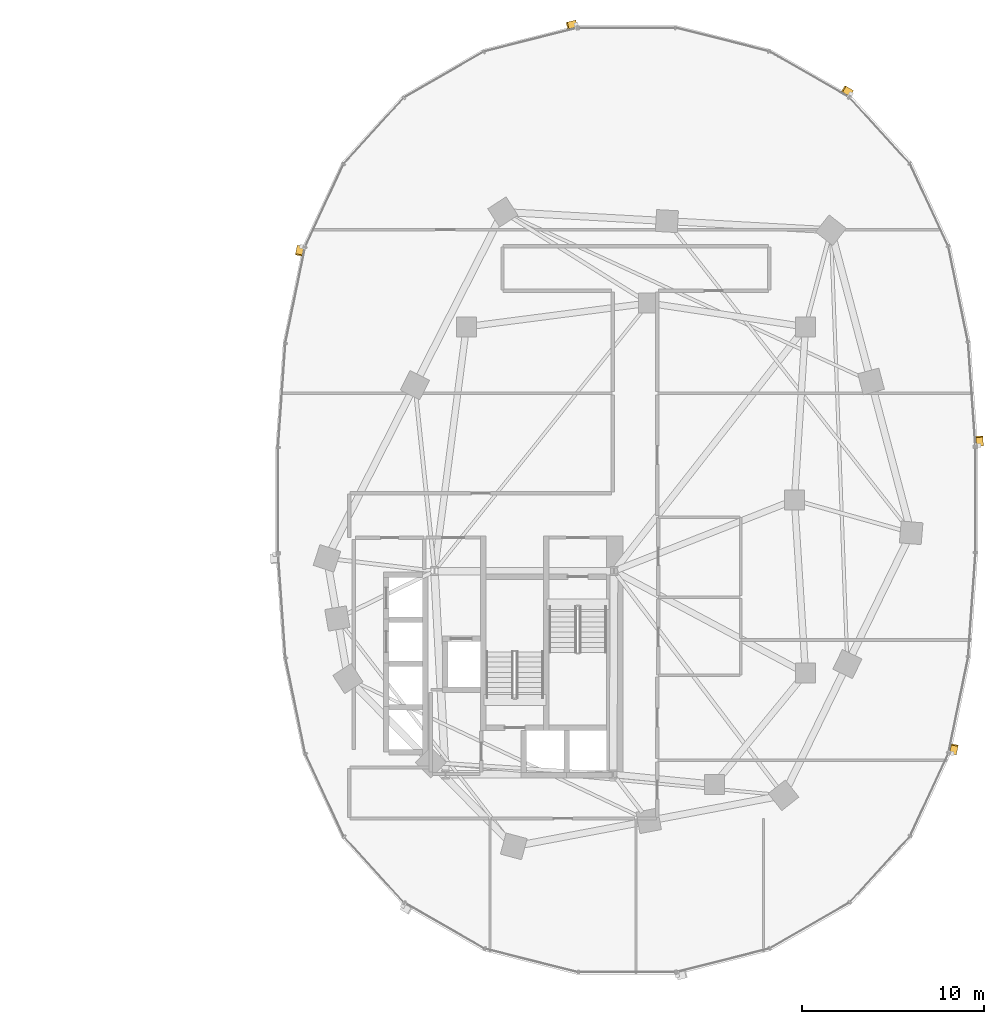
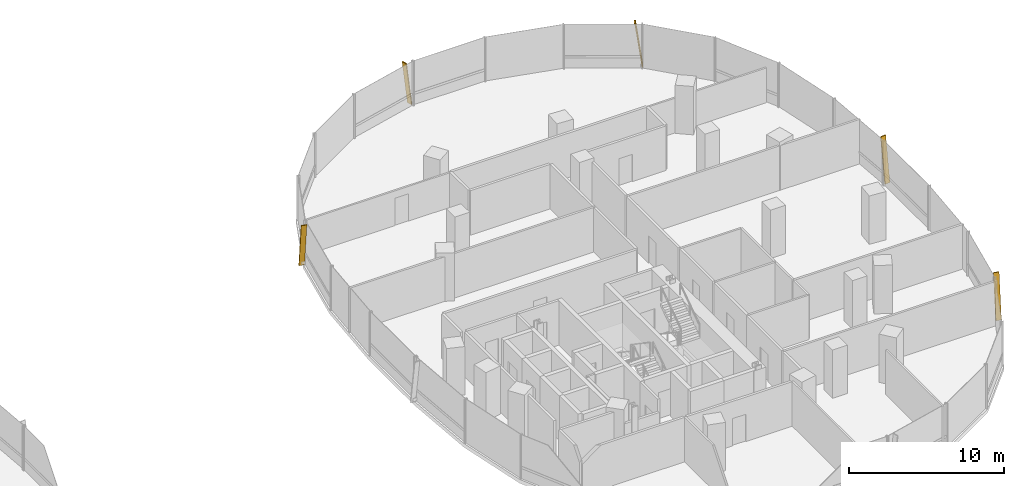
# One storey, part 21 of 21: 5 shading devices.
"""IFC4 building model written with IfcOpenShell, lengths in metres."""

from ifc_helpers import new_model, si_unit, direction, frame, origin, origin_2d, place, context, subcontext, project, spatial, rectangle, extrude, material, material_profile, profile_set, type_object, element, save


model = new_model("IFC4")

# Units and contexts
model_context = context("Model", 3, precision=1e-05, world=origin(), true_north=direction((0.0, 1.0)))
body_context = subcontext(model_context, "Body", "Model", "MODEL_VIEW")
ifc_project = project(units=[si_unit("LENGTHUNIT", "METRE"), si_unit("AREAUNIT", "SQUARE_METRE"), si_unit("VOLUMEUNIT", "CUBIC_METRE"), si_unit("PLANEANGLEUNIT", "RADIAN"), si_unit("MASSUNIT", "GRAM", prefix="KILO"), si_unit("THERMODYNAMICTEMPERATUREUNIT", "KELVIN"), si_unit("POWERUNIT", "WATT")], contexts=[model_context])

# Site, building, storey
site_placement = place(None, origin())
site = spatial("IfcSite", under=ifc_project, at=site_placement, CompositionType="ELEMENT")
building_placement = place(site_placement, origin())
building = spatial("IfcBuilding", under=site, at=building_placement, Name="Cundina Bronze Exchange", CompositionType="ELEMENT")
storey_placement = place(building_placement, frame((0.0, 0.0, 62.0)))
storey = spatial("IfcBuildingStorey", under=building, at=storey_placement, Name="L15", CompositionType="ELEMENT", Elevation=62.0)

# Shading devices
ifc_material = material(Name="Anodised Bronze Aluminium 6063-T6", Category="aluminium")
ifc_material_profile = material_profile(ifc_material, rectangle(XDim=0.070068359375, YDim=0.3798828125, at=origin_2d()), Name="FIN70X380", Category="aluminium")
ifc_profile_set = profile_set([ifc_material_profile], Name="Anodised Bronze Aluminium 6063-T6")
shading_device_type = type_object("IfcShadingDeviceType", Name="SHD-FIN-BRZ380", PredefinedType="USERDEFINED", material=ifc_profile_set)
for number, where, z_axis, x_axis, name in (
    (1, (51.3740234375, 2.993896484375, 0.02001953125), (-0.009645159174, 0.137059109714, 0.990515911709), (0.06953288269, -0.988072340253, 0.137398066402), "L15 Diagonal Bronze Solar Fin 1"),
    (2, (44.314208984375, 22.314208984375, 0.02001953125), (-0.119166378275, 0.06842456559, 0.990513731915), (0.85898178632, -0.493221799887, 0.137413779831), "L15 Diagonal Bronze Solar Fin 5"),
    (3, (29.212646484375, 26.138427734375, 0.02001953125), (-0.133214830938, -0.033688115694, 0.990514472221), (0.960284642503, 0.242842181368, 0.137408443412), "L15 Diagonal Bronze Solar Fin 1"),
    (4, (14.10400390625, 13.911865234375, 0.02001953125), (-0.027747134956, -0.134612045151, 0.990509815096), (0.199966585563, 0.970114971774, 0.137442010309), "L15 Diagonal Bronze Solar Fin 5"),
    (5, (49.89599609375, -13.911865234375, 0.02001953125), (0.027747134956, 0.134612045151, 0.990509815096), (-0.199966585563, -0.970114971774, 0.137442010309), "L15 Diagonal Bronze Solar Fin 5"),
):
    element("IfcShadingDevice", number, at=place(storey_placement, frame(where, z_axis=z_axis, x_axis=x_axis)), inside=storey, type_object=shading_device_type, Name=name, ObjectType="FIN", PredefinedType="USERDEFINED", context=body_context, shape_type="SweptSolid", body=[
        extrude(rectangle(XDim=0.070068359375, YDim=0.3798828125, at=origin_2d()), origin(), (0.0, 0.0, 1.0), 3.4931640625),
    ])

save(model, "model.ifc")
